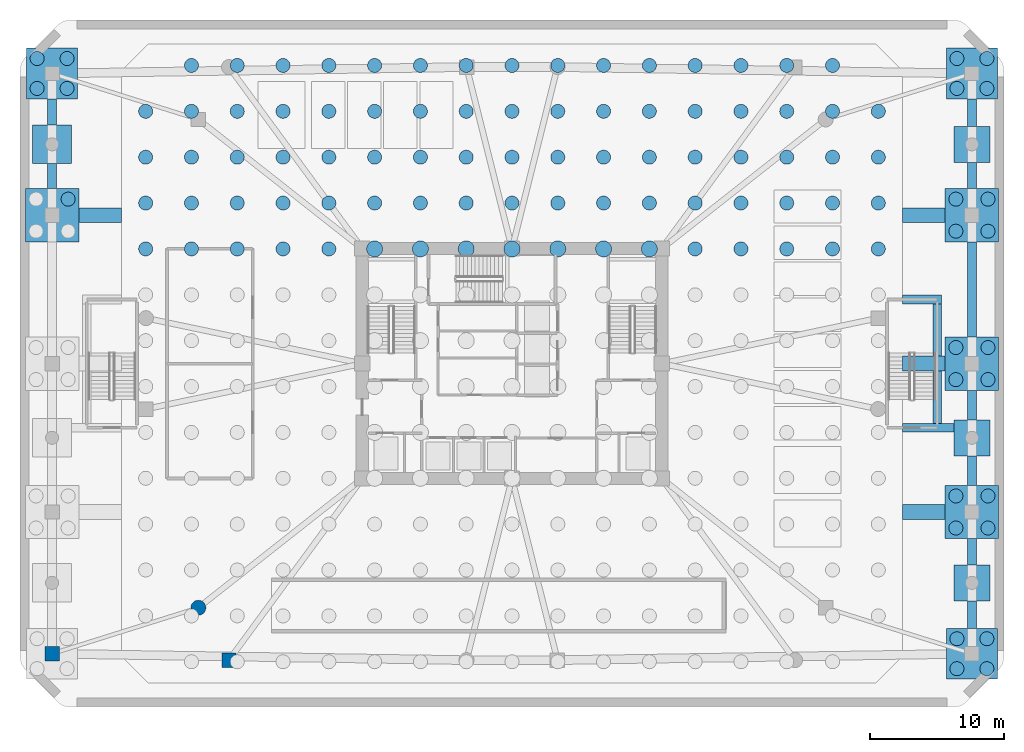
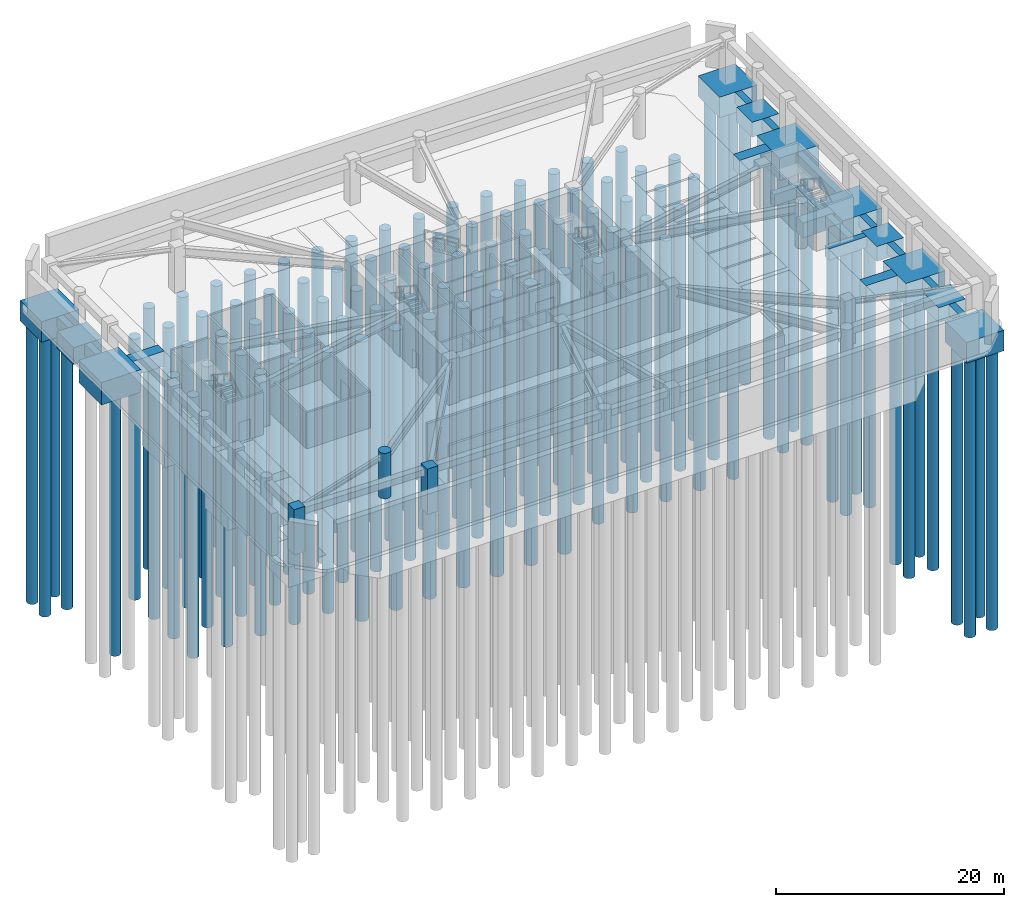
# One storey, part 2 of 11: 108 piles, 28 footings, 3 columns.
"""IFC4 building model written with IfcOpenShell, lengths in metres."""

from ifc_helpers import new_model, si_unit, derived_unit, direction, frame, origin, origin_2d, place, context, subcontext, project, spatial, polyline, rectangle, circle, outline, extrude, material, layer, layer_set, material_profile, profile_set, type_object, element, save


model = new_model("IFC4")

# Units and contexts
model_context = context("Model", 3, precision=1e-05, world=origin(), true_north=direction((0.0, 1.0)))
body_context = subcontext(model_context, "Body", "Model", "MODEL_VIEW")
ifc_project = project(units=[si_unit("LENGTHUNIT", "METRE"), si_unit("AREAUNIT", "SQUARE_METRE"), si_unit("VOLUMEUNIT", "CUBIC_METRE"), si_unit("PLANEANGLEUNIT", "RADIAN"), si_unit("MASSUNIT", "GRAM", prefix="KILO"), derived_unit("THERMALTRANSMITTANCEUNIT", [(si_unit("POWERUNIT", "WATT"), 1), (si_unit("LENGTHUNIT", "METRE"), -2), (si_unit("THERMODYNAMICTEMPERATUREUNIT", "KELVIN"), -1)])], contexts=[model_context])

# Site, building, storey
site_placement = place(None, origin())
site = spatial("IfcSite", under=ifc_project, at=site_placement, CompositionType="ELEMENT")
building_placement = place(site_placement, origin())
building = spatial("IfcBuilding", under=site, at=building_placement, Name="Koralith Skygarden Medical Center", CompositionType="ELEMENT")
storey_placement = place(building_placement, frame((0.0, 0.0, -9.719970703125)))
storey = spatial("IfcBuildingStorey", under=building, at=storey_placement, Name="B2", CompositionType="ELEMENT", Elevation=-9.719970703125)

# Footings
ifc_material_1 = material(Name="Concrete C55/67", Category="concrete")
ifc_material_profile_1 = material_profile(ifc_material_1, rectangle(XDim=0.64990234375, YDim=1.199951171875, at=origin_2d()), Name="SF650X1200")
ifc_profile_set_1 = profile_set([ifc_material_profile_1], Name="Concrete C55/67")
footing_type_1 = type_object("IfcFootingType", Name="Perimeter Strip Footing 650x1200", PredefinedType="STRIP_FOOTING", material=ifc_profile_set_1)
footing_1_placement = place(storey_placement, frame((2.60009765625, 39.0, -0.60009765625), z_axis=(0.0, 1.0, 0.0), x_axis=(-1.0, 0.0, 0.0)))
element("IfcFooting", 1, at=footing_1_placement, inside=storey, type_object=footing_type_1, Name="Perimeter Foundation Strip SF-1-06", PredefinedType="STRIP_FOOTING", context=body_context, shape_type="SweptSolid", body=[
    extrude(rectangle(XDim=0.64990234375, YDim=1.199951171875, at=origin_2d()), origin(), (0.0, 0.0, 1.0), 1.85009765625),
])
footing_2_placement = place(storey_placement, frame((2.60009765625, 43.75, -0.60009765625), z_axis=(0.0, 1.0, 0.0), x_axis=(-1.0, 0.0, 0.0)))
element("IfcFooting", 2, at=footing_2_placement, inside=storey, type_object=footing_type_1, Name="Perimeter Foundation Strip SF-1-07", PredefinedType="STRIP_FOOTING", context=body_context, shape_type="SweptSolid", body=[
    extrude(rectangle(XDim=0.64990234375, YDim=1.199951171875, at=origin_2d()), origin(), (0.0, 0.0, 1.0), 1.949951171875),
])
footing_3_placement = place(storey_placement, frame((71.39990234375, 6.10009765625, -0.60009765625), z_axis=(0.0, 1.0, 0.0), x_axis=(-1.0, 0.0, 0.0)))
element("IfcFooting", 3, at=footing_3_placement, inside=storey, type_object=footing_type_1, Name="Perimeter Foundation Strip SF-2-01", PredefinedType="STRIP_FOOTING", context=body_context, shape_type="SweptSolid", body=[
    extrude(rectangle(XDim=0.64990234375, YDim=1.199951171875, at=origin_2d()), origin(), (0.0, 0.0, 1.0), 2.0498046875),
])
footing_4_placement = place(storey_placement, frame((71.39990234375, 10.85009765625, -0.60009765625), z_axis=(0.0, 1.0, 0.0), x_axis=(-1.0, 0.0, 0.0)))
element("IfcFooting", 4, at=footing_4_placement, inside=storey, type_object=footing_type_1, Name="Perimeter Foundation Strip SF-2-02", PredefinedType="STRIP_FOOTING", context=body_context, shape_type="SweptSolid", body=[
    extrude(rectangle(XDim=0.64990234375, YDim=1.199951171875, at=origin_2d()), origin(), (0.0, 0.0, 1.0), 1.949951171875),
])
for number, where, z_axis, x_axis, name in (
    (5, (71.39990234375, 16.800048828125, -0.60009765625), (0.0, 1.0, 0.0), (-1.0, 0.0, 0.0), "Perimeter Foundation Strip SF-2-03"),
    (6, (71.39990234375, 21.699951171875, -0.60009765625), (0.0, 1.0, 0.0), (-1.0, 0.0, 0.0), "Perimeter Foundation Strip SF-2-04"),
):
    element("IfcFooting", number, at=place(storey_placement, frame(where, z_axis=z_axis, x_axis=x_axis)), inside=storey, type_object=footing_type_1, Name=name, PredefinedType="STRIP_FOOTING", context=body_context, shape_type="SweptSolid", body=[
        extrude(rectangle(XDim=0.64990234375, YDim=1.199951171875, at=origin_2d()), origin(), (0.0, 0.0, 1.0), 2.199951171875),
    ])
footing_5_placement = place(storey_placement, frame((71.39990234375, 27.89990234375, -0.60009765625), z_axis=(0.0, 1.0, 0.0), x_axis=(-1.0, 0.0, 0.0)))
element("IfcFooting", 7, at=footing_5_placement, inside=storey, type_object=footing_type_1, Name="Perimeter Foundation Strip SF-2-05", PredefinedType="STRIP_FOOTING", context=body_context, shape_type="SweptSolid", body=[
    extrude(rectangle(XDim=0.64990234375, YDim=1.199951171875, at=origin_2d()), origin(), (0.0, 0.0, 1.0), 7.10009765625),
])
footing_6_placement = place(storey_placement, frame((71.39990234375, 39.0, -0.60009765625), z_axis=(0.0, 1.0, 0.0), x_axis=(-1.0, 0.0, 0.0)))
element("IfcFooting", 8, at=footing_6_placement, inside=storey, type_object=footing_type_1, Name="Perimeter Foundation Strip SF-2-06", PredefinedType="STRIP_FOOTING", context=body_context, shape_type="SweptSolid", body=[
    extrude(rectangle(XDim=0.64990234375, YDim=1.199951171875, at=origin_2d()), origin(), (0.0, 0.0, 1.0), 1.949951171875),
])
footing_7_placement = place(storey_placement, frame((71.39990234375, 43.64990234375, -0.60009765625), z_axis=(0.0, 1.0, 0.0), x_axis=(-1.0, 0.0, 0.0)))
element("IfcFooting", 9, at=footing_7_placement, inside=storey, type_object=footing_type_1, Name="Perimeter Foundation Strip SF-2-07", PredefinedType="STRIP_FOOTING", context=body_context, shape_type="SweptSolid", body=[
    extrude(rectangle(XDim=0.64990234375, YDim=1.199951171875, at=origin_2d()), origin(), (0.0, 0.0, 1.0), 2.050048828125),
])
footing_8_placement = place(storey_placement, frame((66.199951171875, 21.10009765625, -0.60009765625), z_axis=(1.0, 0.0, 0.0), x_axis=(0.0, 1.0, 0.0)))
element("IfcFooting", 10, at=footing_8_placement, inside=storey, type_object=footing_type_1, Name="Stair ST5 Foundation Strip S", PredefinedType="STRIP_FOOTING", context=body_context, shape_type="SweptSolid", body=[
    extrude(rectangle(XDim=0.64990234375, YDim=1.199951171875, at=origin_2d()), origin(), (0.0, 0.0, 1.0), 3.85009765625),
])
footing_9_placement = place(storey_placement, frame((66.199951171875, 30.699951171875, -0.60009765625), z_axis=(1.0, 0.0, 0.0), x_axis=(0.0, 1.0, 0.0)))
element("IfcFooting", 11, at=footing_9_placement, inside=storey, type_object=footing_type_1, Name="Stair ST5 Foundation Strip N", PredefinedType="STRIP_FOOTING", context=body_context, shape_type="SweptSolid", body=[
    extrude(rectangle(XDim=0.64990234375, YDim=1.199951171875, at=origin_2d()), origin(), (0.0, 0.0, 1.0), 2.925048828125),
])
for number, where, z_axis, x_axis, name in (
    (12, (68.800048828125, 21.425048828125, -0.60009765625), (0.0, 1.0, 0.0), (-1.0, 0.0, 0.0), "Stair ST5 Foundation Strip ES"),
    (13, (68.800048828125, 26.449951171875, -0.60009765625), (0.0, 1.0, 0.0), (-1.0, 0.0, 0.0), "Stair ST5 Foundation Strip EN"),
):
    element("IfcFooting", number, at=place(storey_placement, frame(where, z_axis=z_axis, x_axis=x_axis)), inside=storey, type_object=footing_type_1, Name=name, PredefinedType="STRIP_FOOTING", context=body_context, shape_type="SweptSolid", body=[
        extrude(rectangle(XDim=0.64990234375, YDim=1.199951171875, at=origin_2d()), origin(), (0.0, 0.0, 1.0), 3.925048828125),
    ])
ifc_layer_1 = layer(ifc_material_1, 1.60009765625)
ifc_layer_set_1 = layer_set([ifc_layer_1], Name="Concrete C55/67")
footing_type_2 = type_object("IfcFootingType", Name="Plaza Pier Pad Footing 1600", PredefinedType="PAD_FOOTING", material=ifc_layer_set_1)
footing_10_placement = place(storey_placement, frame((0.0, 0.0, -1.60009765625)))
element("IfcFooting", 14, at=footing_10_placement, inside=storey, type_object=footing_type_2, Name="Concourse Pad Footing PF-04", PredefinedType="PAD_FOOTING", context=body_context, shape_type="SweptSolid", body=[
    extrude(outline(polyline([(70.050048828125, 8.14990234375), (72.75, 8.14990234375), (72.75, 10.85009765625), (70.050048828125, 10.85009765625), (70.050048828125, 8.14990234375)])), origin(), (0.0, 0.0, 1.0), 1.60009765625),
])
footing_11_placement = place(storey_placement, frame((0.0, 0.0, -1.60009765625)))
element("IfcFooting", 15, at=footing_11_placement, inside=storey, type_object=footing_type_2, Name="Concourse Pad Footing PF-05", PredefinedType="PAD_FOOTING", context=body_context, shape_type="SweptSolid", body=[
    extrude(outline(polyline([(70.050048828125, 19.0), (72.75, 19.0), (72.75, 21.699951171875), (70.050048828125, 21.699951171875), (70.050048828125, 19.0)])), origin(), (0.0, 0.0, 1.0), 1.60009765625),
])
footing_12_placement = place(storey_placement, frame((0.0, 0.0, -1.60009765625)))
element("IfcFooting", 16, at=footing_12_placement, inside=storey, type_object=footing_type_2, Name="Concourse Pad Footing PF-06", PredefinedType="PAD_FOOTING", context=body_context, shape_type="SweptSolid", body=[
    extrude(outline(polyline([(70.050048828125, 40.949951171875), (72.75, 40.949951171875), (72.75, 43.64990234375), (70.050048828125, 43.64990234375), (70.050048828125, 40.949951171875)])), origin(), (0.0, 0.0, 1.0), 1.60009765625),
])
ifc_layer_2 = layer(ifc_material_1, 2.199951171875)
ifc_layer_set_2 = layer_set([ifc_layer_2], Name="Concrete C55/67")
footing_type_3 = type_object("IfcFootingType", Name="Podium Corner Pile Cap 2200", PredefinedType="PILE_CAP", material=ifc_layer_set_2)
footing_13_placement = place(storey_placement, frame((0.0, 0.0, -2.199951171875)))
element("IfcFooting", 17, at=footing_13_placement, inside=storey, type_object=footing_type_3, Name="Podium Pile Cap PC-05", PredefinedType="PILE_CAP", context=body_context, shape_type="SweptSolid", body=[
    extrude(outline(polyline([(0.699951171875, 45.699951171875), (4.5, 45.699951171875), (4.5, 49.5), (0.699951171875, 49.5), (0.699951171875, 45.699951171875)])), origin(), (0.0, 0.0, 1.0), 2.199951171875),
])
footing_14_placement = place(storey_placement, frame((0.0, 0.0, -2.199951171875)))
element("IfcFooting", 18, at=footing_14_placement, inside=storey, type_object=footing_type_3, Name="Podium Pile Cap PC-06", PredefinedType="PILE_CAP", context=body_context, shape_type="SweptSolid", body=[
    extrude(outline(polyline([(69.5, 2.300048828125), (73.300048828125, 2.300048828125), (73.300048828125, 6.10009765625), (69.5, 6.10009765625), (69.5, 2.300048828125)])), origin(), (0.0, 0.0, 1.0), 2.199951171875),
])
footing_15_placement = place(storey_placement, frame((0.0, 0.0, -2.199951171875)))
element("IfcFooting", 19, at=footing_15_placement, inside=storey, type_object=footing_type_3, Name="Podium Pile Cap PC-10", PredefinedType="PILE_CAP", context=body_context, shape_type="SweptSolid", body=[
    extrude(outline(polyline([(69.5, 45.699951171875), (73.300048828125, 45.699951171875), (73.300048828125, 49.5), (69.5, 49.5), (69.5, 45.699951171875)])), origin(), (0.0, 0.0, 1.0), 2.199951171875),
])
ifc_layer_3 = layer(ifc_material_1, 2.39990234375)
ifc_layer_set_3 = layer_set([ifc_layer_3], Name="Concrete C55/67")
footing_type_4 = type_object("IfcFootingType", Name="Podium Pile Cap 2400", PredefinedType="PILE_CAP", material=ifc_layer_set_3)
footing_16_placement = place(storey_placement, frame((0.0, 0.0, -2.400146484375)))
element("IfcFooting", 20, at=footing_16_placement, inside=storey, type_object=footing_type_4, Name="Podium Pile Cap PC-04", PredefinedType="PILE_CAP", context=body_context, shape_type="SweptSolid", body=[
    extrude(outline(polyline([(0.60009765625, 35.0), (4.60009765625, 35.0), (4.60009765625, 39.0), (0.60009765625, 39.0), (0.60009765625, 35.0)])), origin(), (0.0, 0.0, 1.0), 2.400146484375),
])
footing_17_placement = place(storey_placement, frame((0.0, 0.0, -2.400146484375)))
element("IfcFooting", 21, at=footing_17_placement, inside=storey, type_object=footing_type_4, Name="Podium Pile Cap PC-07", PredefinedType="PILE_CAP", context=body_context, shape_type="SweptSolid", body=[
    extrude(outline(polyline([(69.39990234375, 12.800048828125), (73.39990234375, 12.800048828125), (73.39990234375, 16.800048828125), (69.39990234375, 16.800048828125), (69.39990234375, 12.800048828125)])), origin(), (0.0, 0.0, 1.0), 2.400146484375),
])
footing_18_placement = place(storey_placement, frame((0.0, 0.0, -2.400146484375)))
element("IfcFooting", 22, at=footing_18_placement, inside=storey, type_object=footing_type_4, Name="Podium Pile Cap PC-08", PredefinedType="PILE_CAP", context=body_context, shape_type="SweptSolid", body=[
    extrude(outline(polyline([(69.39990234375, 23.89990234375), (73.39990234375, 23.89990234375), (73.39990234375, 27.89990234375), (69.39990234375, 27.89990234375), (69.39990234375, 23.89990234375)])), origin(), (0.0, 0.0, 1.0), 2.400146484375),
])
footing_19_placement = place(storey_placement, frame((0.0, 0.0, -2.400146484375)))
element("IfcFooting", 23, at=footing_19_placement, inside=storey, type_object=footing_type_4, Name="Podium Pile Cap PC-09", PredefinedType="PILE_CAP", context=body_context, shape_type="SweptSolid", body=[
    extrude(outline(polyline([(69.39990234375, 35.0), (73.39990234375, 35.0), (73.39990234375, 39.0), (69.39990234375, 39.0), (69.39990234375, 35.0)])), origin(), (0.0, 0.0, 1.0), 2.400146484375),
])
ifc_material_profile_2 = material_profile(ifc_material_1, rectangle(XDim=1.10009765625, YDim=1.60009765625, at=origin_2d()), Name="RCB1100X1600")
ifc_profile_set_2 = profile_set([ifc_material_profile_2], Name="Concrete C55/67")
footing_type_5 = type_object("IfcFootingType", Name="Primary Foundation Grade Beam 1200x1600", PredefinedType="FOOTING_BEAM", material=ifc_profile_set_2)
for number, where, z_axis, x_axis, name in (
    (24, (4.60009765625, 37.0, -0.800048828125), (1.0, 0.0, 0.0), (0.0, 1.0, 0.0), "Foundation Tie Grade Beam GB-04"),
    (25, (66.199951171875, 14.800048828125, -0.800048828125), (1.0, 0.0, 0.0), (0.0, 1.0, 0.0), "Foundation Tie Grade Beam GB-07"),
    (26, (66.199951171875, 25.89990234375, -0.800048828125), (1.0, 0.0, 0.0), (0.0, 1.0, 0.0), "Foundation Tie Grade Beam GB-08"),
    (27, (66.199951171875, 37.0, -0.800048828125), (1.0, 0.0, 0.0), (0.0, 1.0, 0.0), "Foundation Tie Grade Beam GB-09"),
):
    element("IfcFooting", number, at=place(storey_placement, frame(where, z_axis=z_axis, x_axis=x_axis)), inside=storey, type_object=footing_type_5, Name=name, PredefinedType="FOOTING_BEAM", context=body_context, shape_type="SweptSolid", body=[
        extrude(rectangle(XDim=1.10009765625, YDim=1.60009765625, at=origin_2d()), origin(), (0.0, 0.0, 1.0), 3.199951171875),
    ])

# Piles
ifc_material_2 = material(Name="Concrete C45/55", Category="concrete")
ifc_material_profile_3 = material_profile(ifc_material_2, circle(Radius=0.52490234375, at=origin_2d()), Name="PILE1050")
ifc_profile_set_3 = profile_set([ifc_material_profile_3], Name="Concrete C45/55")
pile_type_1 = type_object("IfcPileType", Name="Rock-Socketed Bored Pile 1050", PredefinedType="BORED", material=ifc_profile_set_3)
pile_placement = place(storey_placement, frame((3.800048828125, 38.199951171875, -2.25), z_axis=(0.0, 0.0, -1.0), x_axis=(1.0, 0.0, 0.0)))
element("IfcPile", 28, at=pile_placement, inside=storey, type_object=pile_type_1, Name="Bored Pile P1-PC04-4", PredefinedType="BORED", context=body_context, shape_type="SweptSolid", body=[
    extrude(circle(Radius=0.52490234375, at=origin_2d()), origin(), (0.0, 0.0, 1.0), 29.800048828125),
])
for number, where, z_axis, x_axis, name in (
    (29, (1.47998046875, 46.47998046875, -2.050048828125), (0.0, 0.0, -1.0), (1.0, 0.0, 0.0), "Bored Pile P1-PC05-1"),
    (30, (1.47998046875, 48.719970703125, -2.050048828125), (0.0, 0.0, -1.0), (1.0, 0.0, 0.0), "Bored Pile P1-PC05-2"),
    (31, (3.719970703125, 46.47998046875, -2.050048828125), (0.0, 0.0, -1.0), (1.0, 0.0, 0.0), "Bored Pile P1-PC05-3"),
    (32, (3.719970703125, 48.719970703125, -2.050048828125), (0.0, 0.0, -1.0), (1.0, 0.0, 0.0), "Bored Pile P1-PC05-4"),
    (33, (70.280029296875, 3.080078125, -2.050048828125), (0.0, 0.0, -1.0), (1.0, 0.0, 0.0), "Bored Pile P1-PC06-1"),
    (34, (70.280029296875, 5.320068359375, -2.050048828125), (0.0, 0.0, -1.0), (1.0, 0.0, 0.0), "Bored Pile P1-PC06-2"),
    (35, (72.52001953125, 3.080078125, -2.050048828125), (0.0, 0.0, -1.0), (1.0, 0.0, 0.0), "Bored Pile P1-PC06-3"),
    (36, (72.52001953125, 5.320068359375, -2.050048828125), (0.0, 0.0, -1.0), (1.0, 0.0, 0.0), "Bored Pile P1-PC06-4"),
):
    element("IfcPile", number, at=place(storey_placement, frame(where, z_axis=z_axis, x_axis=x_axis)), inside=storey, type_object=pile_type_1, Name=name, PredefinedType="BORED", context=body_context, shape_type="SweptSolid", body=[
        extrude(circle(Radius=0.52490234375, at=origin_2d()), origin(), (0.0, 0.0, 1.0), 30.0),
    ])
for number, where, z_axis, x_axis, name in (
    (37, (70.199951171875, 13.60009765625, -2.25), (0.0, 0.0, -1.0), (1.0, 0.0, 0.0), "Bored Pile P1-PC07-1"),
    (38, (70.199951171875, 16.0, -2.25), (0.0, 0.0, -1.0), (1.0, 0.0, 0.0), "Bored Pile P1-PC07-2"),
    (39, (72.60009765625, 13.60009765625, -2.25), (0.0, 0.0, -1.0), (1.0, 0.0, 0.0), "Bored Pile P1-PC07-3"),
    (40, (72.60009765625, 16.0, -2.25), (0.0, 0.0, -1.0), (1.0, 0.0, 0.0), "Bored Pile P1-PC07-4"),
    (41, (70.199951171875, 24.699951171875, -2.25), (0.0, 0.0, -1.0), (1.0, 0.0, 0.0), "Bored Pile P1-PC08-1"),
    (42, (70.199951171875, 27.10009765625, -2.25), (0.0, 0.0, -1.0), (1.0, 0.0, 0.0), "Bored Pile P1-PC08-2"),
    (43, (72.60009765625, 24.699951171875, -2.25), (0.0, 0.0, -1.0), (1.0, 0.0, 0.0), "Bored Pile P1-PC08-3"),
    (44, (72.60009765625, 27.10009765625, -2.25), (0.0, 0.0, -1.0), (1.0, 0.0, 0.0), "Bored Pile P1-PC08-4"),
    (45, (70.199951171875, 35.800048828125, -2.25), (0.0, 0.0, -1.0), (1.0, 0.0, 0.0), "Bored Pile P1-PC09-1"),
    (46, (70.199951171875, 38.199951171875, -2.25), (0.0, 0.0, -1.0), (1.0, 0.0, 0.0), "Bored Pile P1-PC09-2"),
    (47, (72.60009765625, 35.800048828125, -2.25), (0.0, 0.0, -1.0), (1.0, 0.0, 0.0), "Bored Pile P1-PC09-3"),
    (48, (72.60009765625, 38.199951171875, -2.25), (0.0, 0.0, -1.0), (1.0, 0.0, 0.0), "Bored Pile P1-PC09-4"),
):
    element("IfcPile", number, at=place(storey_placement, frame(where, z_axis=z_axis, x_axis=x_axis)), inside=storey, type_object=pile_type_1, Name=name, PredefinedType="BORED", context=body_context, shape_type="SweptSolid", body=[
        extrude(circle(Radius=0.52490234375, at=origin_2d()), origin(), (0.0, 0.0, 1.0), 29.800048828125),
    ])
for number, where, z_axis, x_axis, name in (
    (49, (70.280029296875, 46.47998046875, -2.050048828125), (0.0, 0.0, -1.0), (1.0, 0.0, 0.0), "Bored Pile P1-PC10-1"),
    (50, (70.280029296875, 48.719970703125, -2.050048828125), (0.0, 0.0, -1.0), (1.0, 0.0, 0.0), "Bored Pile P1-PC10-2"),
    (51, (72.52001953125, 46.47998046875, -2.050048828125), (0.0, 0.0, -1.0), (1.0, 0.0, 0.0), "Bored Pile P1-PC10-3"),
    (52, (72.52001953125, 48.719970703125, -2.050048828125), (0.0, 0.0, -1.0), (1.0, 0.0, 0.0), "Bored Pile P1-PC10-4"),
):
    element("IfcPile", number, at=place(storey_placement, frame(where, z_axis=z_axis, x_axis=x_axis)), inside=storey, type_object=pile_type_1, Name=name, PredefinedType="BORED", context=body_context, shape_type="SweptSolid", body=[
        extrude(circle(Radius=0.52490234375, at=origin_2d()), origin(), (0.0, 0.0, 1.0), 30.0),
    ])
for number, where, z_axis, x_axis, name in (
    (53, (9.60009765625, 34.47705078125, -4.050048828125), (0.0, 0.0, -1.0), (1.0, 0.0, 0.0), "Mat Bored Pile P1-009"),
    (54, (9.60009765625, 37.907958984375, -4.050048828125), (0.0, 0.0, -1.0), (1.0, 0.0, 0.0), "Mat Bored Pile P1-010"),
    (55, (9.60009765625, 41.337890625, -4.050048828125), (0.0, 0.0, -1.0), (1.0, 0.0, 0.0), "Mat Bored Pile P1-011"),
    (56, (9.60009765625, 44.76904296875, -4.050048828125), (0.0, 0.0, -1.0), (1.0, 0.0, 0.0), "Mat Bored Pile P1-012"),
    (57, (13.02490234375, 34.47705078125, -4.050048828125), (0.0, 0.0, -1.0), (1.0, 0.0, 0.0), "Mat Bored Pile P1-022"),
    (58, (13.02490234375, 37.907958984375, -4.050048828125), (0.0, 0.0, -1.0), (1.0, 0.0, 0.0), "Mat Bored Pile P1-023"),
    (59, (13.02490234375, 41.337890625, -4.050048828125), (0.0, 0.0, -1.0), (1.0, 0.0, 0.0), "Mat Bored Pile P1-024"),
    (60, (13.02490234375, 44.76904296875, -4.050048828125), (0.0, 0.0, -1.0), (1.0, 0.0, 0.0), "Mat Bored Pile P1-025"),
    (61, (13.02490234375, 48.199951171875, -4.050048828125), (0.0, 0.0, -1.0), (1.0, 0.0, 0.0), "Mat Bored Pile P1-026"),
    (62, (16.449951171875, 34.47705078125, -4.050048828125), (0.0, 0.0, -1.0), (1.0, 0.0, 0.0), "Mat Bored Pile P1-036"),
    (63, (16.449951171875, 37.907958984375, -4.050048828125), (0.0, 0.0, -1.0), (1.0, 0.0, 0.0), "Mat Bored Pile P1-037"),
    (64, (16.449951171875, 41.337890625, -4.050048828125), (0.0, 0.0, -1.0), (1.0, 0.0, 0.0), "Mat Bored Pile P1-038"),
    (65, (16.449951171875, 44.76904296875, -4.050048828125), (0.0, 0.0, -1.0), (1.0, 0.0, 0.0), "Mat Bored Pile P1-039"),
    (66, (16.449951171875, 48.199951171875, -4.050048828125), (0.0, 0.0, -1.0), (1.0, 0.0, 0.0), "Mat Bored Pile P1-040"),
    (67, (19.875, 34.47705078125, -4.050048828125), (0.0, 0.0, -1.0), (1.0, 0.0, 0.0), "Mat Bored Pile P1-050"),
    (68, (19.875, 37.907958984375, -4.050048828125), (0.0, 0.0, -1.0), (1.0, 0.0, 0.0), "Mat Bored Pile P1-051"),
    (69, (19.875, 41.337890625, -4.050048828125), (0.0, 0.0, -1.0), (1.0, 0.0, 0.0), "Mat Bored Pile P1-052"),
    (70, (19.875, 44.76904296875, -4.050048828125), (0.0, 0.0, -1.0), (1.0, 0.0, 0.0), "Mat Bored Pile P1-053"),
    (71, (19.875, 48.199951171875, -4.050048828125), (0.0, 0.0, -1.0), (1.0, 0.0, 0.0), "Mat Bored Pile P1-054"),
    (72, (23.300048828125, 34.47705078125, -4.050048828125), (0.0, 0.0, -1.0), (1.0, 0.0, 0.0), "Mat Bored Pile P1-064"),
    (73, (23.300048828125, 37.907958984375, -4.050048828125), (0.0, 0.0, -1.0), (1.0, 0.0, 0.0), "Mat Bored Pile P1-065"),
    (74, (23.300048828125, 41.337890625, -4.050048828125), (0.0, 0.0, -1.0), (1.0, 0.0, 0.0), "Mat Bored Pile P1-066"),
    (75, (23.300048828125, 44.76904296875, -4.050048828125), (0.0, 0.0, -1.0), (1.0, 0.0, 0.0), "Mat Bored Pile P1-067"),
    (76, (23.300048828125, 48.199951171875, -4.050048828125), (0.0, 0.0, -1.0), (1.0, 0.0, 0.0), "Mat Bored Pile P1-068"),
    (77, (26.72509765625, 37.907958984375, -4.050048828125), (0.0, 0.0, -1.0), (1.0, 0.0, 0.0), "Mat Bored Pile P1-079"),
    (78, (26.72509765625, 41.337890625, -4.050048828125), (0.0, 0.0, -1.0), (1.0, 0.0, 0.0), "Mat Bored Pile P1-080"),
    (79, (26.72509765625, 44.76904296875, -4.050048828125), (0.0, 0.0, -1.0), (1.0, 0.0, 0.0), "Mat Bored Pile P1-081"),
    (80, (26.72509765625, 48.199951171875, -4.050048828125), (0.0, 0.0, -1.0), (1.0, 0.0, 0.0), "Mat Bored Pile P1-082"),
    (81, (30.14990234375, 37.907958984375, -4.050048828125), (0.0, 0.0, -1.0), (1.0, 0.0, 0.0), "Mat Bored Pile P1-093"),
    (82, (30.14990234375, 41.337890625, -4.050048828125), (0.0, 0.0, -1.0), (1.0, 0.0, 0.0), "Mat Bored Pile P1-094"),
    (83, (30.14990234375, 44.76904296875, -4.050048828125), (0.0, 0.0, -1.0), (1.0, 0.0, 0.0), "Mat Bored Pile P1-095"),
    (84, (30.14990234375, 48.199951171875, -4.050048828125), (0.0, 0.0, -1.0), (1.0, 0.0, 0.0), "Mat Bored Pile P1-096"),
    (85, (33.574951171875, 37.907958984375, -4.050048828125), (0.0, 0.0, -1.0), (1.0, 0.0, 0.0), "Mat Bored Pile P1-107"),
    (86, (33.574951171875, 41.337890625, -4.050048828125), (0.0, 0.0, -1.0), (1.0, 0.0, 0.0), "Mat Bored Pile P1-108"),
    (87, (33.574951171875, 44.76904296875, -4.050048828125), (0.0, 0.0, -1.0), (1.0, 0.0, 0.0), "Mat Bored Pile P1-109"),
    (88, (33.574951171875, 48.199951171875, -4.050048828125), (0.0, 0.0, -1.0), (1.0, 0.0, 0.0), "Mat Bored Pile P1-110"),
    (89, (37.0, 37.907958984375, -4.050048828125), (0.0, 0.0, -1.0), (1.0, 0.0, 0.0), "Mat Bored Pile P1-121"),
    (90, (37.0, 41.337890625, -4.050048828125), (0.0, 0.0, -1.0), (1.0, 0.0, 0.0), "Mat Bored Pile P1-122"),
    (91, (37.0, 44.76904296875, -4.050048828125), (0.0, 0.0, -1.0), (1.0, 0.0, 0.0), "Mat Bored Pile P1-123"),
    (92, (37.0, 48.199951171875, -4.050048828125), (0.0, 0.0, -1.0), (1.0, 0.0, 0.0), "Mat Bored Pile P1-124"),
    (93, (40.425048828125, 37.907958984375, -4.050048828125), (0.0, 0.0, -1.0), (1.0, 0.0, 0.0), "Mat Bored Pile P1-135"),
    (94, (40.425048828125, 41.337890625, -4.050048828125), (0.0, 0.0, -1.0), (1.0, 0.0, 0.0), "Mat Bored Pile P1-136"),
    (95, (40.425048828125, 44.76904296875, -4.050048828125), (0.0, 0.0, -1.0), (1.0, 0.0, 0.0), "Mat Bored Pile P1-137"),
    (96, (40.425048828125, 48.199951171875, -4.050048828125), (0.0, 0.0, -1.0), (1.0, 0.0, 0.0), "Mat Bored Pile P1-138"),
    (97, (43.85009765625, 37.907958984375, -4.050048828125), (0.0, 0.0, -1.0), (1.0, 0.0, 0.0), "Mat Bored Pile P1-149"),
    (98, (43.85009765625, 41.337890625, -4.050048828125), (0.0, 0.0, -1.0), (1.0, 0.0, 0.0), "Mat Bored Pile P1-150"),
    (99, (43.85009765625, 44.76904296875, -4.050048828125), (0.0, 0.0, -1.0), (1.0, 0.0, 0.0), "Mat Bored Pile P1-151"),
    (100, (43.85009765625, 48.199951171875, -4.050048828125), (0.0, 0.0, -1.0), (1.0, 0.0, 0.0), "Mat Bored Pile P1-152"),
    (101, (47.27490234375, 37.907958984375, -4.050048828125), (0.0, 0.0, -1.0), (1.0, 0.0, 0.0), "Mat Bored Pile P1-163"),
    (102, (47.27490234375, 41.337890625, -4.050048828125), (0.0, 0.0, -1.0), (1.0, 0.0, 0.0), "Mat Bored Pile P1-164"),
    (103, (47.27490234375, 44.76904296875, -4.050048828125), (0.0, 0.0, -1.0), (1.0, 0.0, 0.0), "Mat Bored Pile P1-165"),
    (104, (47.27490234375, 48.199951171875, -4.050048828125), (0.0, 0.0, -1.0), (1.0, 0.0, 0.0), "Mat Bored Pile P1-166"),
    (105, (50.699951171875, 34.47705078125, -4.050048828125), (0.0, 0.0, -1.0), (1.0, 0.0, 0.0), "Mat Bored Pile P1-176"),
    (106, (50.699951171875, 37.907958984375, -4.050048828125), (0.0, 0.0, -1.0), (1.0, 0.0, 0.0), "Mat Bored Pile P1-177"),
    (107, (50.699951171875, 41.337890625, -4.050048828125), (0.0, 0.0, -1.0), (1.0, 0.0, 0.0), "Mat Bored Pile P1-178"),
    (108, (50.699951171875, 44.76904296875, -4.050048828125), (0.0, 0.0, -1.0), (1.0, 0.0, 0.0), "Mat Bored Pile P1-179"),
    (109, (50.699951171875, 48.199951171875, -4.050048828125), (0.0, 0.0, -1.0), (1.0, 0.0, 0.0), "Mat Bored Pile P1-180"),
    (110, (54.125, 34.47705078125, -4.050048828125), (0.0, 0.0, -1.0), (1.0, 0.0, 0.0), "Mat Bored Pile P1-190"),
    (111, (54.125, 37.907958984375, -4.050048828125), (0.0, 0.0, -1.0), (1.0, 0.0, 0.0), "Mat Bored Pile P1-191"),
    (112, (54.125, 41.337890625, -4.050048828125), (0.0, 0.0, -1.0), (1.0, 0.0, 0.0), "Mat Bored Pile P1-192"),
    (113, (54.125, 44.76904296875, -4.050048828125), (0.0, 0.0, -1.0), (1.0, 0.0, 0.0), "Mat Bored Pile P1-193"),
    (114, (54.125, 48.199951171875, -4.050048828125), (0.0, 0.0, -1.0), (1.0, 0.0, 0.0), "Mat Bored Pile P1-194"),
    (115, (57.550048828125, 34.47705078125, -4.050048828125), (0.0, 0.0, -1.0), (1.0, 0.0, 0.0), "Mat Bored Pile P1-204"),
    (116, (57.550048828125, 37.907958984375, -4.050048828125), (0.0, 0.0, -1.0), (1.0, 0.0, 0.0), "Mat Bored Pile P1-205"),
    (117, (57.550048828125, 41.337890625, -4.050048828125), (0.0, 0.0, -1.0), (1.0, 0.0, 0.0), "Mat Bored Pile P1-206"),
    (118, (57.550048828125, 44.76904296875, -4.050048828125), (0.0, 0.0, -1.0), (1.0, 0.0, 0.0), "Mat Bored Pile P1-207"),
    (119, (57.550048828125, 48.199951171875, -4.050048828125), (0.0, 0.0, -1.0), (1.0, 0.0, 0.0), "Mat Bored Pile P1-208"),
    (120, (60.97509765625, 34.47705078125, -4.050048828125), (0.0, 0.0, -1.0), (1.0, 0.0, 0.0), "Mat Bored Pile P1-218"),
    (121, (60.97509765625, 37.907958984375, -4.050048828125), (0.0, 0.0, -1.0), (1.0, 0.0, 0.0), "Mat Bored Pile P1-219"),
    (122, (60.97509765625, 41.337890625, -4.050048828125), (0.0, 0.0, -1.0), (1.0, 0.0, 0.0), "Mat Bored Pile P1-220"),
    (123, (60.97509765625, 44.76904296875, -4.050048828125), (0.0, 0.0, -1.0), (1.0, 0.0, 0.0), "Mat Bored Pile P1-221"),
    (124, (60.97509765625, 48.199951171875, -4.050048828125), (0.0, 0.0, -1.0), (1.0, 0.0, 0.0), "Mat Bored Pile P1-222"),
    (125, (64.39990234375, 34.47705078125, -4.050048828125), (0.0, 0.0, -1.0), (1.0, 0.0, 0.0), "Mat Bored Pile P1-231"),
    (126, (64.39990234375, 37.907958984375, -4.050048828125), (0.0, 0.0, -1.0), (1.0, 0.0, 0.0), "Mat Bored Pile P1-232"),
    (127, (64.39990234375, 41.337890625, -4.050048828125), (0.0, 0.0, -1.0), (1.0, 0.0, 0.0), "Mat Bored Pile P1-233"),
    (128, (64.39990234375, 44.76904296875, -4.050048828125), (0.0, 0.0, -1.0), (1.0, 0.0, 0.0), "Mat Bored Pile P1-234"),
):
    element("IfcPile", number, at=place(storey_placement, frame(where, z_axis=z_axis, x_axis=x_axis)), inside=storey, type_object=pile_type_1, Name=name, PredefinedType="BORED", context=body_context, shape_type="SweptSolid", body=[
        extrude(circle(Radius=0.52490234375, at=origin_2d()), origin(), (0.0, 0.0, 1.0), 28.0),
    ])
ifc_material_profile_4 = material_profile(ifc_material_2, circle(Radius=0.60009765625, at=origin_2d()), Name="PILE1200")
ifc_profile_set_4 = profile_set([ifc_material_profile_4], Name="Concrete C45/55")
pile_type_2 = type_object("IfcPileType", Name="Rock-Socketed Core Bored Pile 1200", PredefinedType="BORED", material=ifc_profile_set_4)
for number, where, z_axis, x_axis, name in (
    (129, (26.72509765625, 34.47705078125, -4.050048828125), (0.0, 0.0, -1.0), (1.0, 0.0, 0.0), "Mat Bored Pile P2-078"),
    (130, (30.14990234375, 34.47705078125, -4.050048828125), (0.0, 0.0, -1.0), (1.0, 0.0, 0.0), "Mat Bored Pile P2-092"),
    (131, (33.574951171875, 34.47705078125, -4.050048828125), (0.0, 0.0, -1.0), (1.0, 0.0, 0.0), "Mat Bored Pile P2-106"),
    (132, (37.0, 34.47705078125, -4.050048828125), (0.0, 0.0, -1.0), (1.0, 0.0, 0.0), "Mat Bored Pile P2-120"),
    (133, (40.425048828125, 34.47705078125, -4.050048828125), (0.0, 0.0, -1.0), (1.0, 0.0, 0.0), "Mat Bored Pile P2-134"),
    (134, (43.85009765625, 34.47705078125, -4.050048828125), (0.0, 0.0, -1.0), (1.0, 0.0, 0.0), "Mat Bored Pile P2-148"),
    (135, (47.27490234375, 34.47705078125, -4.050048828125), (0.0, 0.0, -1.0), (1.0, 0.0, 0.0), "Mat Bored Pile P2-162"),
):
    element("IfcPile", number, at=place(storey_placement, frame(where, z_axis=z_axis, x_axis=x_axis)), inside=storey, type_object=pile_type_2, Name=name, PredefinedType="BORED", context=body_context, shape_type="SweptSolid", body=[
        extrude(circle(Radius=0.60009765625, at=origin_2d()), origin(), (0.0, 0.0, 1.0), 30.0),
    ])

# Footing
ifc_layer_4 = layer(ifc_material_1, 1.800048828125)
ifc_layer_set_4 = layer_set([ifc_layer_4], Name="Concrete C55/67")
footing_type_6 = type_object("IfcFootingType", Name="Station Canopy Pad Footing 1800", PredefinedType="PAD_FOOTING", material=ifc_layer_set_4)
footing_20_placement = place(storey_placement, frame((0.0, 0.0, -1.800048828125)))
element("IfcFooting", 136, at=footing_20_placement, inside=storey, type_object=footing_type_6, Name="Concourse Pad Footing PF-03", PredefinedType="PAD_FOOTING", context=body_context, shape_type="SweptSolid", body=[
    extrude(outline(polyline([(1.14990234375, 40.85009765625), (4.050048828125, 40.85009765625), (4.050048828125, 43.75), (1.14990234375, 43.75), (1.14990234375, 40.85009765625)])), origin(), (0.0, 0.0, 1.0), 1.800048828125),
])

# Columns
ifc_material_3 = material(Name="Concrete C70/85", Category="concrete")
ifc_material_profile_5 = material_profile(ifc_material_3, rectangle(XDim=1.080078125, YDim=1.080078125, at=origin_2d()), Name="RC1080X1080")
ifc_profile_set_5 = profile_set([ifc_material_profile_5], Name="Concrete C70/85")
column_type_1 = type_object("IfcColumnType", Name="Podium Perimeter Column C70 RC1080", PredefinedType="COLUMN", material=ifc_profile_set_5)
column_1_placement = place(storey_placement, frame((2.60009765625, 4.199951171875, 0.0), z_axis=(0.0, 0.0, 1.0), x_axis=(1.0, 0.0, 0.0)))
element("IfcColumn", 137, at=column_1_placement, inside=storey, type_object=column_type_1, Name="B2 Podium Perimeter Column PC-01", PredefinedType="COLUMN", context=body_context, shape_type="SweptSolid", body=[
    extrude(rectangle(XDim=1.080078125, YDim=1.080078125, at=origin_2d()), origin(), (0.0, 0.0, 1.0), 4.85986328125),
])
ifc_material_profile_6 = material_profile(ifc_material_3, circle(Radius=0.56005859375, at=origin_2d()), Name="RCCOL1120")
ifc_profile_set_6 = profile_set([ifc_material_profile_6], Name="Concrete C70/85")
column_type_2 = type_object("IfcColumnType", Name="Station Round Mega-Column C70 D1120", PredefinedType="COLUMN", material=ifc_profile_set_6)
column_2_placement = place(storey_placement, frame((13.5400390625, 7.639892578125, 0.0), z_axis=(0.0, 0.0, 1.0), x_axis=(1.0, 0.0, 0.0)))
element("IfcColumn", 138, at=column_2_placement, inside=storey, type_object=column_type_2, Name="B2 Tower Base Mega-Column TB-02", PredefinedType="COLUMN", context=body_context, shape_type="SweptSolid", body=[
    extrude(circle(Radius=0.56005859375, at=origin_2d()), origin(), (0.0, 0.0, 1.0), 4.85986328125),
])
ifc_material_profile_7 = material_profile(ifc_material_3, rectangle(XDim=1.080078125, YDim=1.080078125, at=origin_2d()), Name="RC1080X1080")
ifc_profile_set_7 = profile_set([ifc_material_profile_7], Name="Concrete C70/85")
column_type_3 = type_object("IfcColumnType", Name="Zone 1 Octagonal Mega-Column C70 RC1080", PredefinedType="COLUMN", material=ifc_profile_set_7)
column_3_placement = place(storey_placement, frame((15.83203125, 3.719970703125, 0.0), z_axis=(0.0, 0.0, 1.0), x_axis=(1.0, 0.0, 0.0)))
element("IfcColumn", 139, at=column_3_placement, inside=storey, type_object=column_type_3, Name="B2 Tower Base Mega-Column TB-03", PredefinedType="COLUMN", context=body_context, shape_type="SweptSolid", body=[
    extrude(rectangle(XDim=1.080078125, YDim=1.080078125, at=origin_2d()), origin(), (0.0, 0.0, 1.0), 4.85986328125),
])

save(model, "model.ifc")
